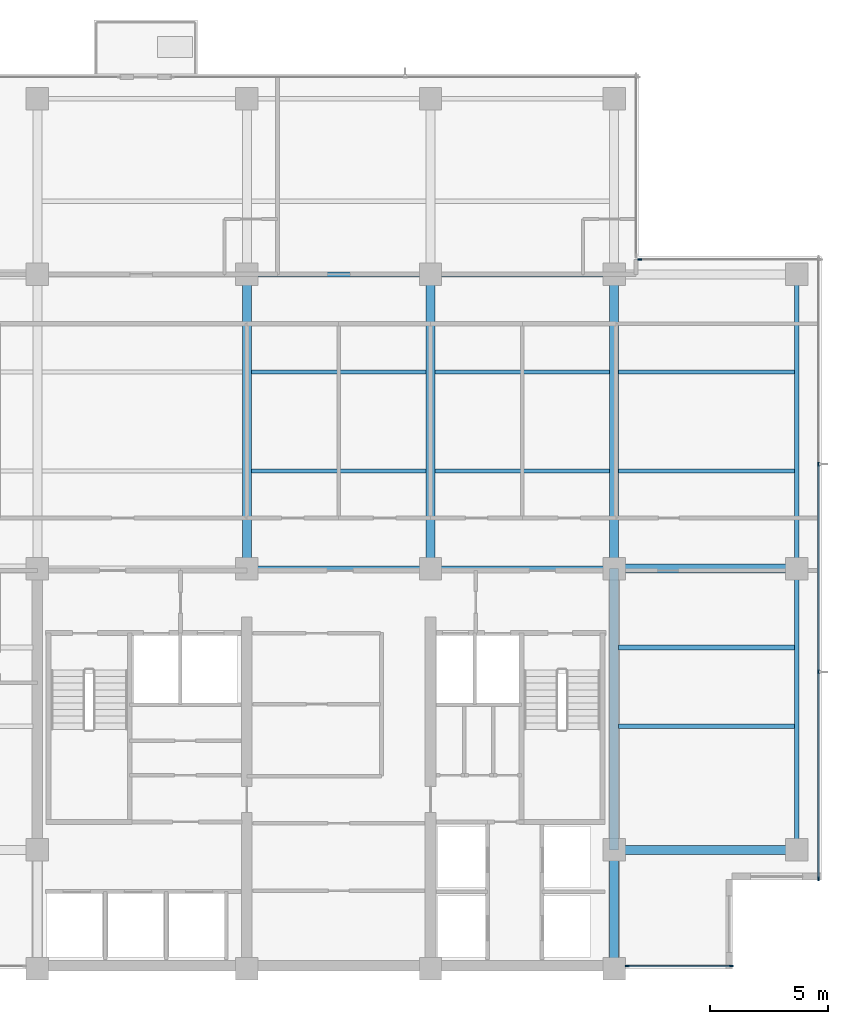
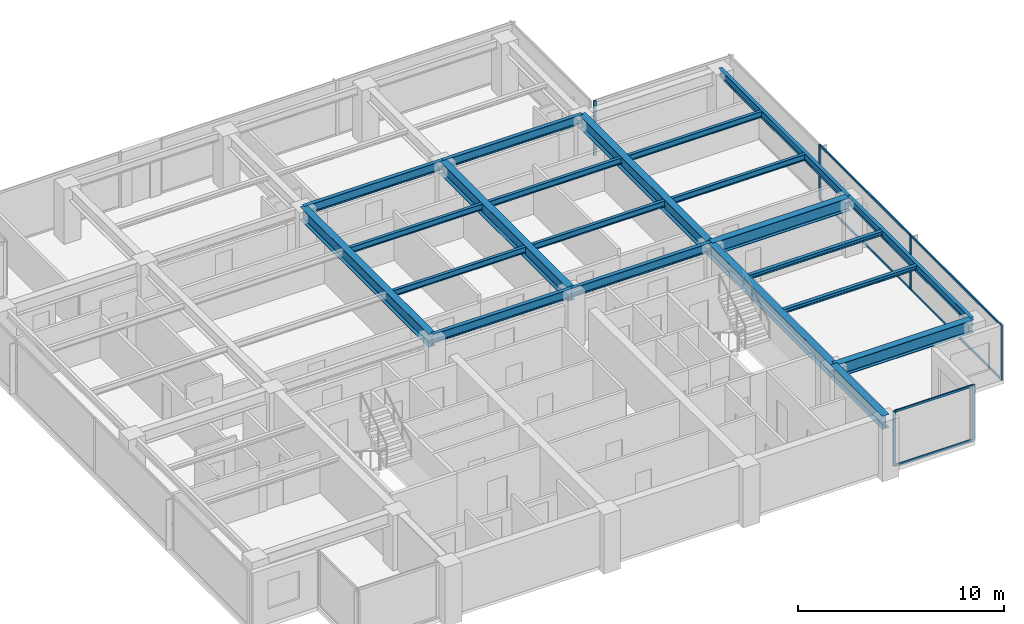
# One storey, part 3 of 14: 21 beams, 12 members, 3 elements without a shape of their own.
"""IFC4 building model written with IfcOpenShell, lengths in metres."""

from ifc_helpers import new_model, si_unit, direction, frame, origin, origin_2d, place, context, subcontext, project, spatial, rectangle, i_section, extrude, material, layer, layer_set, material_profile, profile_set, type_object, element, aggregate, save


model = new_model("IFC4")

# Units and contexts
model_context = context("Model", 3, precision=1e-05, world=origin(), true_north=direction((0.0, 1.0)))
body_context = subcontext(model_context, "Body", "Model", "MODEL_VIEW")
ifc_project = project(units=[si_unit("LENGTHUNIT", "METRE"), si_unit("AREAUNIT", "SQUARE_METRE"), si_unit("VOLUMEUNIT", "CUBIC_METRE"), si_unit("PLANEANGLEUNIT", "RADIAN"), si_unit("MASSUNIT", "GRAM", prefix="KILO")], contexts=[model_context])

# Site, building, storey
site_placement = place(None, origin())
site = spatial("IfcSite", under=ifc_project, at=site_placement, CompositionType="ELEMENT")
building_placement = place(site_placement, origin())
building = spatial("IfcBuilding", under=site, at=building_placement, Name="Qalmaran Belvedere Hotel", CompositionType="ELEMENT")
storey_placement = place(building_placement, frame((0.0, 0.0, 217.89990234375)))
storey = spatial("IfcBuildingStorey", under=building, at=storey_placement, Name="L55", CompositionType="ELEMENT", Elevation=217.89990234375)

# Beams
ifc_material_1 = material(Name="Steel S355JR", Category="steel")
ifc_material_profile_1 = material_profile(ifc_material_1, i_section(OverallWidth=0.201904296875, OverallDepth=0.2470703125, WebThickness=0.00732421875, FlangeThickness=0.010986328125, FilletRadius=0.011962890625, at=origin_2d()), Name="W250X49")
ifc_profile_set_1 = profile_set([ifc_material_profile_1], Name="Steel S355JR")
beam_type_1 = type_object("IfcBeamType", Name="BM-JST-W250X49", PredefinedType="JOIST", material=ifc_profile_set_1)
for number, where, z_axis, x_axis, name in (
    (1, (44.988525390625, 13.800048828125, 3.13671875), (1.0, 0.0, 0.0), (0.0, 1.0, 0.0), "L55 East Wing Joist 039"),
    (2, (44.988525390625, 17.14990234375, 3.13671875), (1.0, 0.0, 0.0), (0.0, 1.0, 0.0), "L55 East Wing Joist 041"),
):
    element("IfcBeam", number, at=place(storey_placement, frame(where, z_axis=z_axis, x_axis=x_axis)), inside=storey, type_object=beam_type_1, Name=name, PredefinedType="JOIST", context=body_context, shape_type="SweptSolid", body=[
        extrude(i_section(OverallWidth=0.201904296875, OverallDepth=0.2470703125, WebThickness=0.00732421875, FlangeThickness=0.010986328125, FilletRadius=0.011962890625, at=origin_2d()), origin(), (0.0, 0.0, 1.0), 7.467529296875),
    ])
ifc_material_profile_2 = material_profile(ifc_material_1, i_section(OverallWidth=0.381103515625, OverallDepth=0.77294921875, WebThickness=0.0166015625, FlangeThickness=0.027099609375, FilletRadius=0.02197265625, at=origin_2d()), Name="W760X257")
ifc_profile_set_2 = profile_set([ifc_material_profile_2], Name="Steel S355JR")
beam_type_2 = type_object("IfcBeamType", Name="BM-PG4-W760X257", PredefinedType="USERDEFINED", material=ifc_profile_set_2)
for number, where, z_axis, x_axis, name in (
    (3, (29.199951171875, 20.5, 2.87353515625), (0.0, 1.0, 0.0), (-1.0, 0.0, 0.0), "L55 Mid-Plate N-S Girder 16"),
    (4, (37.0, 20.5, 2.87353515625), (0.0, 1.0, 0.0), (-1.0, 0.0, 0.0), "L55 Mid-Plate N-S Girder 18"),
    (5, (44.800048828125, 20.5, 2.87353515625), (0.0, 1.0, 0.0), (-1.0, 0.0, 0.0), "L55 Mid-Plate N-S Girder 20"),
):
    element("IfcBeam", number, at=place(storey_placement, frame(where, z_axis=z_axis, x_axis=x_axis)), inside=storey, type_object=beam_type_2, Name=name, ObjectType="GIRDER", PredefinedType="USERDEFINED", context=body_context, shape_type="SweptSolid", body=[
        extrude(i_section(OverallWidth=0.381103515625, OverallDepth=0.77294921875, WebThickness=0.0166015625, FlangeThickness=0.027099609375, FilletRadius=0.02197265625, at=origin_2d()), origin(), (0.0, 0.0, 1.0), 12.5),
    ])
beam_1_placement = place(storey_placement, frame((44.800048828125, 3.5, 2.87353515625), z_axis=(0.0, 1.0, 0.0), x_axis=(-1.0, 0.0, 0.0)))
element("IfcBeam", 6, at=beam_1_placement, inside=storey, type_object=beam_type_2, Name="L55 East Core Edge Girder A", ObjectType="GIRDER", PredefinedType="USERDEFINED", context=body_context, shape_type="SweptSolid", body=[
    extrude(i_section(OverallWidth=0.381103515625, OverallDepth=0.77294921875, WebThickness=0.0166015625, FlangeThickness=0.027099609375, FilletRadius=0.02197265625, at=origin_2d()), origin(), (0.0, 0.0, 1.0), 5.050048828125),
])
beam_2_placement = place(storey_placement, frame((44.800048828125, 8.550048828125, 2.87353515625), z_axis=(0.0, 1.0, 0.0), x_axis=(-1.0, 0.0, 0.0)))
element("IfcBeam", 7, at=beam_2_placement, inside=storey, type_object=beam_type_2, Name="L55 East Core Edge Girder B", ObjectType="GIRDER", PredefinedType="USERDEFINED", context=body_context, shape_type="SweptSolid", body=[
    extrude(i_section(OverallWidth=0.381103515625, OverallDepth=0.77294921875, WebThickness=0.0166015625, FlangeThickness=0.027099609375, FilletRadius=0.02197265625, at=origin_2d()), origin(), (0.0, 0.0, 1.0), 11.949951171875),
])
for number, where, z_axis, x_axis, name in (
    (8, (44.800048828125, 8.550048828125, 2.87353515625), (1.0, 0.0, 0.0), (0.0, 1.0, 0.0), "L55 East Wing Girder 25"),
    (9, (44.800048828125, 20.5, 2.87353515625), (1.0, 0.0, 0.0), (0.0, 1.0, 0.0), "L55 East Wing Girder 26"),
):
    element("IfcBeam", number, at=place(storey_placement, frame(where, z_axis=z_axis, x_axis=x_axis)), inside=storey, type_object=beam_type_2, Name=name, ObjectType="GIRDER", PredefinedType="USERDEFINED", context=body_context, shape_type="SweptSolid", body=[
        extrude(i_section(OverallWidth=0.381103515625, OverallDepth=0.77294921875, WebThickness=0.0166015625, FlangeThickness=0.027099609375, FilletRadius=0.02197265625, at=origin_2d()), origin(), (0.0, 0.0, 1.0), 7.75),
    ])
ifc_material_profile_3 = material_profile(ifc_material_1, i_section(OverallWidth=0.172119140625, OverallDepth=0.35791015625, WebThickness=0.0078125, FlangeThickness=0.01318359375, FilletRadius=0.014892578125, at=origin_2d()), Name="W360X57")
ifc_profile_set_3 = profile_set([ifc_material_profile_3], Name="Steel S355JR")
beam_type_3 = type_object("IfcBeamType", Name="BM-SB4-W360X57", PredefinedType="BEAM", material=ifc_profile_set_3)
for number, where, z_axis, x_axis, name in (
    (10, (29.388427734375, 24.64990234375, 3.0810546875), (1.0, 0.0, 0.0), (0.0, 1.0, 0.0), "L55 Secondary Floor Beam 030"),
    (11, (37.1884765625, 24.64990234375, 3.0810546875), (1.0, 0.0, 0.0), (0.0, 1.0, 0.0), "L55 Secondary Floor Beam 031"),
):
    element("IfcBeam", number, at=place(storey_placement, frame(where, z_axis=z_axis, x_axis=x_axis)), inside=storey, type_object=beam_type_3, Name=name, PredefinedType="BEAM", context=body_context, shape_type="SweptSolid", body=[
        extrude(i_section(OverallWidth=0.172119140625, OverallDepth=0.35791015625, WebThickness=0.0078125, FlangeThickness=0.01318359375, FilletRadius=0.014892578125, at=origin_2d()), origin(), (0.0, 0.0, 1.0), 7.423095703125),
    ])
beam_3_placement = place(storey_placement, frame((44.988525390625, 24.64990234375, 3.0810546875), z_axis=(1.0, 0.0, 0.0), x_axis=(0.0, 1.0, 0.0)))
element("IfcBeam", 12, at=beam_3_placement, inside=storey, type_object=beam_type_3, Name="L55 East Secondary Beam 032", PredefinedType="BEAM", context=body_context, shape_type="SweptSolid", body=[
    extrude(i_section(OverallWidth=0.172119140625, OverallDepth=0.35791015625, WebThickness=0.0078125, FlangeThickness=0.01318359375, FilletRadius=0.014892578125, at=origin_2d()), origin(), (0.0, 0.0, 1.0), 7.467529296875),
])
for number, where, z_axis, x_axis, name in (
    (13, (29.388427734375, 28.85009765625, 3.0810546875), (1.0, 0.0, 0.0), (0.0, 1.0, 0.0), "L55 Secondary Floor Beam 035"),
    (14, (37.1884765625, 28.85009765625, 3.0810546875), (1.0, 0.0, 0.0), (0.0, 1.0, 0.0), "L55 Secondary Floor Beam 036"),
):
    element("IfcBeam", number, at=place(storey_placement, frame(where, z_axis=z_axis, x_axis=x_axis)), inside=storey, type_object=beam_type_3, Name=name, PredefinedType="BEAM", context=body_context, shape_type="SweptSolid", body=[
        extrude(i_section(OverallWidth=0.172119140625, OverallDepth=0.35791015625, WebThickness=0.0078125, FlangeThickness=0.01318359375, FilletRadius=0.014892578125, at=origin_2d()), origin(), (0.0, 0.0, 1.0), 7.423095703125),
    ])
beam_4_placement = place(storey_placement, frame((44.988525390625, 28.85009765625, 3.0810546875), z_axis=(1.0, 0.0, 0.0), x_axis=(0.0, 1.0, 0.0)))
element("IfcBeam", 15, at=beam_4_placement, inside=storey, type_object=beam_type_3, Name="L55 East Secondary Beam 037", PredefinedType="BEAM", context=body_context, shape_type="SweptSolid", body=[
    extrude(i_section(OverallWidth=0.172119140625, OverallDepth=0.35791015625, WebThickness=0.0078125, FlangeThickness=0.01318359375, FilletRadius=0.014892578125, at=origin_2d()), origin(), (0.0, 0.0, 1.0), 7.467529296875),
])
ifc_material_profile_4 = material_profile(ifc_material_1, i_section(OverallWidth=0.19189453125, OverallDepth=0.462890625, WebThickness=0.010498046875, FlangeThickness=0.017578125, FilletRadius=0.01611328125, at=origin_2d()), Name="W460X89")
ifc_profile_set_4 = profile_set([ifc_material_profile_4], Name="Steel S355JR")
beam_type_4 = type_object("IfcBeamType", Name="BM-SP2-W460X89", PredefinedType="SPANDREL", material=ifc_profile_set_4)
beam_5_placement = place(storey_placement, frame((52.550048828125, 8.550048828125, 3.028564453125), z_axis=(0.0, 1.0, 0.0), x_axis=(-1.0, 0.0, 0.0)))
element("IfcBeam", 16, at=beam_5_placement, inside=storey, type_object=beam_type_4, Name="L55 Perimeter Spandrel 03", PredefinedType="SPANDREL", context=body_context, shape_type="SweptSolid", body=[
    extrude(i_section(OverallWidth=0.19189453125, OverallDepth=0.462890625, WebThickness=0.010498046875, FlangeThickness=0.017578125, FilletRadius=0.01611328125, at=origin_2d()), origin(), (0.0, 0.0, 1.0), 11.949951171875),
])
beam_6_placement = place(storey_placement, frame((52.550048828125, 20.5, 3.028564453125), z_axis=(0.0, 1.0, 0.0), x_axis=(-1.0, 0.0, 0.0)))
element("IfcBeam", 17, at=beam_6_placement, inside=storey, type_object=beam_type_4, Name="L55 Perimeter Spandrel 04", PredefinedType="SPANDREL", context=body_context, shape_type="SweptSolid", body=[
    extrude(i_section(OverallWidth=0.19189453125, OverallDepth=0.462890625, WebThickness=0.010498046875, FlangeThickness=0.017578125, FilletRadius=0.01611328125, at=origin_2d()), origin(), (0.0, 0.0, 1.0), 12.5),
])
ifc_material_profile_5 = material_profile(ifc_material_1, i_section(OverallWidth=0.2109375, OverallDepth=0.5390625, WebThickness=0.01171875, FlangeThickness=0.018798828125, FilletRadius=0.01806640625, at=origin_2d()), Name="W530X109")
ifc_profile_set_5 = profile_set([ifc_material_profile_5], Name="Steel S355JR")
beam_type_5 = type_object("IfcBeamType", Name="BM-Z4-W530X109", PredefinedType="USERDEFINED", material=ifc_profile_set_5)
for number, where, z_axis, x_axis, name in (
    (18, (29.199951171875, 20.5, 2.990478515625), (1.0, 0.0, 0.0), (0.0, 1.0, 0.0), "L55 Interior E-W Girder 09"),
    (19, (37.0, 20.5, 2.990478515625), (1.0, 0.0, 0.0), (0.0, 1.0, 0.0), "L55 Interior E-W Girder 10"),
    (20, (29.199951171875, 33.0, 2.990478515625), (1.0, 0.0, 0.0), (0.0, 1.0, 0.0), "L55 Interior E-W Girder 12"),
    (21, (37.0, 33.0, 2.990478515625), (1.0, 0.0, 0.0), (0.0, 1.0, 0.0), "L55 Interior E-W Girder 13"),
):
    element("IfcBeam", number, at=place(storey_placement, frame(where, z_axis=z_axis, x_axis=x_axis)), inside=storey, type_object=beam_type_5, Name=name, ObjectType="GIRDER", PredefinedType="USERDEFINED", context=body_context, shape_type="SweptSolid", body=[
        extrude(i_section(OverallWidth=0.2109375, OverallDepth=0.5390625, WebThickness=0.01171875, FlangeThickness=0.018798828125, FilletRadius=0.01806640625, at=origin_2d()), origin(), (0.0, 0.0, 1.0), 7.800048828125),
    ])

# Curtain wall, members
ifc_material_2 = material(Name="Anodised Bronze Aluminium", Category="aluminium")
ifc_layer = layer(ifc_material_2, 0.18994140625, Name="Anodised Bronze Aluminium")
ifc_layer_set = layer_set([ifc_layer], Name="Anodised Bronze Aluminium")
curtain_wall_type = type_object("IfcCurtainWallType", Name="CW5-TOWER-UPPER", PredefinedType="NOTDEFINED", material=ifc_layer_set)
curtain_wall_1_placement = place(storey_placement, origin())
curtain_wall_1 = element("IfcCurtainWall", 22, at=curtain_wall_1_placement, inside=storey, type_object=curtain_wall_type, Name="L55 Curtain Wall CW5", PredefinedType="NOTDEFINED")
ifc_material_profile_6 = material_profile(ifc_material_2, rectangle(XDim=0.06494140625, YDim=0.1650390625, at=origin_2d()), Name="CWM65X165")
ifc_profile_set_6 = profile_set([ifc_material_profile_6], Name="Anodised Bronze Aluminium")
member_type_1 = type_object("IfcMemberType", Name="CWM-65X165", PredefinedType="MULLION", material=ifc_profile_set_6)
member_1_placement = place(storey_placement, frame((45.347412109375, 3.6201171875, 0.0), z_axis=(0.0, 0.0, 1.0), x_axis=(0.0, 1.0, 0.0)))
member_1 = element("IfcMember", 23, at=member_1_placement, type_object=member_type_1, Name="CW5 mullion 1", PredefinedType="MULLION", context=body_context, shape_type="SweptSolid", body=[
    extrude(rectangle(XDim=0.06494140625, YDim=0.1650390625, at=origin_2d()), origin(), (0.0, 0.0, 1.0), 3.260009765625),
])
member_2_placement = place(storey_placement, frame((49.767578125, 3.6201171875, 0.0), z_axis=(0.0, 0.0, 1.0), x_axis=(0.0, 1.0, 0.0)))
member_2 = element("IfcMember", 24, at=member_2_placement, type_object=member_type_1, Name="CW5 mullion 2", PredefinedType="MULLION", context=body_context, shape_type="SweptSolid", body=[
    extrude(rectangle(XDim=0.06494140625, YDim=0.1650390625, at=origin_2d()), origin(), (0.0, 0.0, 1.0), 3.260009765625),
])

curtain_wall_2_placement = place(storey_placement, origin())
curtain_wall_2 = element("IfcCurtainWall", 25, at=curtain_wall_2_placement, inside=storey, type_object=curtain_wall_type, Name="L55 Curtain Wall CW5", PredefinedType="NOTDEFINED")
member_3_placement = place(storey_placement, frame((53.47998046875, 7.33251953125, 0.0), z_axis=(0.0, 0.0, 1.0), x_axis=(-1.0, 0.0, 0.0)))
member_3 = element("IfcMember", 26, at=member_3_placement, type_object=member_type_1, Name="CW5 mullion 1", PredefinedType="MULLION", context=body_context, shape_type="SweptSolid", body=[
    extrude(rectangle(XDim=0.06494140625, YDim=0.1650390625, at=origin_2d()), origin(), (0.0, 0.0, 1.0), 3.260009765625),
])
member_4_placement = place(storey_placement, frame((53.47998046875, 16.11669921875, 0.0), z_axis=(0.0, 0.0, 1.0), x_axis=(-1.0, 0.0, 0.0)))
member_4 = element("IfcMember", 27, at=member_4_placement, type_object=member_type_1, Name="CW5 mullion 2", PredefinedType="MULLION", context=body_context, shape_type="SweptSolid", body=[
    extrude(rectangle(XDim=0.06494140625, YDim=0.1650390625, at=origin_2d()), origin(), (0.0, 0.0, 1.0), 3.260009765625),
])
member_5_placement = place(storey_placement, frame((53.47998046875, 24.933349609375, 0.0), z_axis=(0.0, 0.0, 1.0), x_axis=(-1.0, 0.0, 0.0)))
member_5 = element("IfcMember", 28, at=member_5_placement, type_object=member_type_1, Name="CW5 mullion 3", PredefinedType="MULLION", context=body_context, shape_type="SweptSolid", body=[
    extrude(rectangle(XDim=0.06494140625, YDim=0.1650390625, at=origin_2d()), origin(), (0.0, 0.0, 1.0), 3.260009765625),
])

# Curtain wall, member
curtain_wall_3_placement = place(storey_placement, origin())
curtain_wall_3 = element("IfcCurtainWall", 29, at=curtain_wall_3_placement, inside=storey, type_object=curtain_wall_type, Name="L55 Curtain Wall CW5", PredefinedType="NOTDEFINED")
member_6_placement = place(storey_placement, frame((45.882568359375, 33.6298828125, 0.0), z_axis=(0.0, 0.0, 1.0), x_axis=(0.0, -1.0, 0.0)))
member_6 = element("IfcMember", 30, at=member_6_placement, type_object=member_type_1, Name="CW5 mullion 2", PredefinedType="MULLION", context=body_context, shape_type="SweptSolid", body=[
    extrude(rectangle(XDim=0.06494140625, YDim=0.1650390625, at=origin_2d()), origin(), (0.0, 0.0, 1.0), 3.260009765625),
])
aggregate(curtain_wall_3, [member_6])

# Member
ifc_material_profile_7 = material_profile(ifc_material_2, rectangle(XDim=0.06494140625, YDim=0.1298828125, at=origin_2d()), Name="CWT65X130")
ifc_profile_set_7 = profile_set([ifc_material_profile_7], Name="Anodised Bronze Aluminium")
member_type_2 = type_object("IfcMemberType", Name="CWT-65X130", PredefinedType="USERDEFINED", material=ifc_profile_set_7)
member_7_placement = place(storey_placement, frame((45.3798828125, 3.6201171875, 0.03271484375), z_axis=(1.0, 0.0, 0.0), x_axis=(0.0, 1.0, 0.0)))
member_7 = element("IfcMember", 31, at=member_7_placement, type_object=member_type_2, Name="CW5 transom 1.1", ObjectType="TRANSOM", PredefinedType="USERDEFINED", context=body_context, shape_type="SweptSolid", body=[
    extrude(rectangle(XDim=0.06494140625, YDim=0.1298828125, at=origin_2d()), origin(), (0.0, 0.0, 1.0), 4.355224609375),
])

member_8_placement = place(storey_placement, frame((45.3798828125, 3.6201171875, 3.2275390625), z_axis=(1.0, 0.0, 0.0), x_axis=(0.0, 1.0, 0.0)))
member_8 = element("IfcMember", 32, at=member_8_placement, type_object=member_type_2, Name="CW5 transom 1.2", ObjectType="TRANSOM", PredefinedType="USERDEFINED", context=body_context, shape_type="SweptSolid", body=[
    extrude(rectangle(XDim=0.06494140625, YDim=0.1298828125, at=origin_2d()), origin(), (0.0, 0.0, 1.0), 4.355224609375),
])

aggregate(curtain_wall_1, [member_1, member_2, member_7, member_8])

member_9_placement = place(storey_placement, frame((53.47998046875, 7.364990234375, 0.03271484375), z_axis=(0.0, 1.0, 0.0), x_axis=(-1.0, 0.0, 0.0)))
member_9 = element("IfcMember", 33, at=member_9_placement, type_object=member_type_2, Name="CW5 transom 1.1", ObjectType="TRANSOM", PredefinedType="USERDEFINED", context=body_context, shape_type="SweptSolid", body=[
    extrude(rectangle(XDim=0.06494140625, YDim=0.1298828125, at=origin_2d()), origin(), (0.0, 0.0, 1.0), 8.71923828125),
])

member_10_placement = place(storey_placement, frame((53.47998046875, 7.364990234375, 3.2275390625), z_axis=(0.0, 1.0, 0.0), x_axis=(-1.0, 0.0, 0.0)))
member_10 = element("IfcMember", 34, at=member_10_placement, type_object=member_type_2, Name="CW5 transom 1.2", ObjectType="TRANSOM", PredefinedType="USERDEFINED", context=body_context, shape_type="SweptSolid", body=[
    extrude(rectangle(XDim=0.06494140625, YDim=0.1298828125, at=origin_2d()), origin(), (0.0, 0.0, 1.0), 8.71923828125),
])

member_11_placement = place(storey_placement, frame((53.47998046875, 16.149169921875, 0.03271484375), z_axis=(0.0, 1.0, 0.0), x_axis=(-1.0, 0.0, 0.0)))
member_11 = element("IfcMember", 35, at=member_11_placement, type_object=member_type_2, Name="CW5 transom 2.1", ObjectType="TRANSOM", PredefinedType="USERDEFINED", context=body_context, shape_type="SweptSolid", body=[
    extrude(rectangle(XDim=0.06494140625, YDim=0.1298828125, at=origin_2d()), origin(), (0.0, 0.0, 1.0), 8.751708984375),
])

member_12_placement = place(storey_placement, frame((53.47998046875, 16.149169921875, 3.2275390625), z_axis=(0.0, 1.0, 0.0), x_axis=(-1.0, 0.0, 0.0)))
member_12 = element("IfcMember", 36, at=member_12_placement, type_object=member_type_2, Name="CW5 transom 2.2", ObjectType="TRANSOM", PredefinedType="USERDEFINED", context=body_context, shape_type="SweptSolid", body=[
    extrude(rectangle(XDim=0.06494140625, YDim=0.1298828125, at=origin_2d()), origin(), (0.0, 0.0, 1.0), 8.751708984375),
])

aggregate(curtain_wall_2, [member_3, member_4, member_5, member_9, member_10, member_11, member_12])

save(model, "model.ifc")
